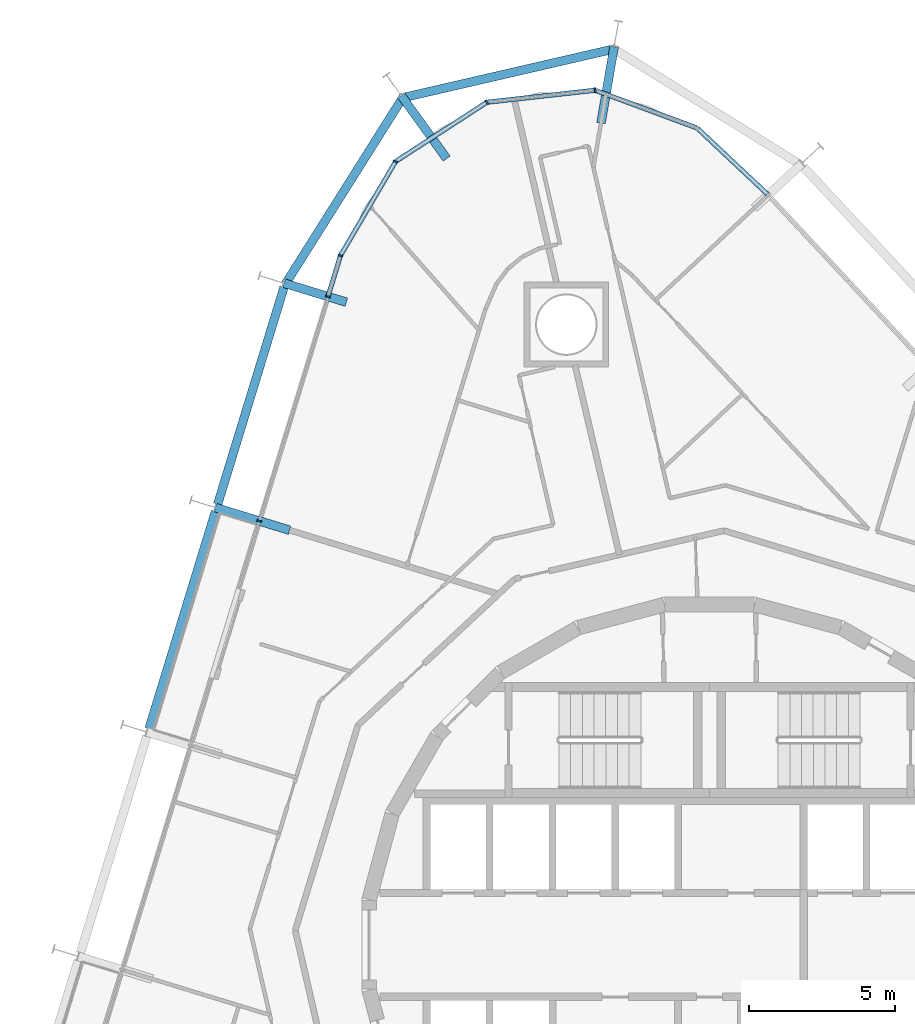
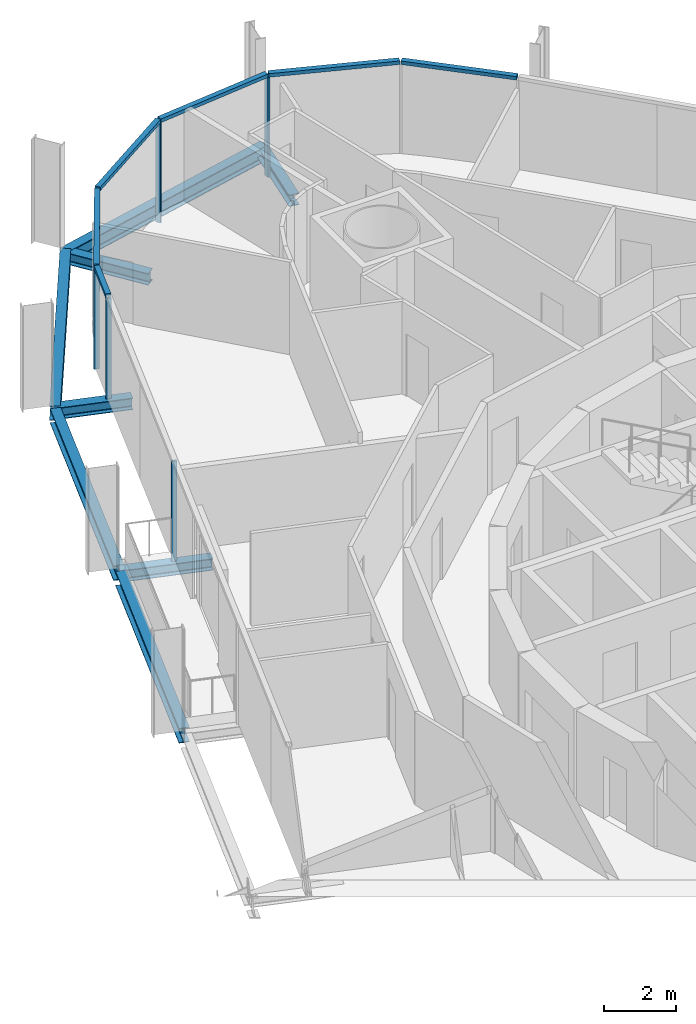
# One storey, part 7 of 18: 12 members, 8 beams, 2 elements without a shape of their own.
"""IFC4 building model written with IfcOpenShell, lengths in metres."""

from ifc_helpers import new_model, si_unit, direction, frame, origin, origin_2d, place, context, subcontext, project, spatial, rectangle, i_section, extrude, material, layer, layer_set, material_profile, profile_set, type_object, element, aggregate, save


model = new_model("IFC4")

# Units and contexts
model_context = context("Model", 3, precision=1e-05, world=origin(), true_north=direction((0.0, 1.0)))
body_context = subcontext(model_context, "Body", "Model", "MODEL_VIEW")
ifc_project = project(units=[si_unit("LENGTHUNIT", "METRE"), si_unit("AREAUNIT", "SQUARE_METRE"), si_unit("VOLUMEUNIT", "CUBIC_METRE"), si_unit("PLANEANGLEUNIT", "RADIAN"), si_unit("MASSUNIT", "GRAM", prefix="KILO")], contexts=[model_context])

# Site, building, storey
site_placement = place(None, origin())
site = spatial("IfcSite", under=ifc_project, at=site_placement, CompositionType="ELEMENT")
building_placement = place(site_placement, origin())
building = spatial("IfcBuilding", under=site, at=building_placement, Name="Spindle Arch Residences", CompositionType="ELEMENT")
storey_placement = place(building_placement, frame((0.0, 0.0, 130.89990234375)))
storey = spatial("IfcBuildingStorey", under=building, at=storey_placement, Name="L32", CompositionType="ELEMENT", Elevation=130.89990234375)

# Curtain wall, members
ifc_material_1 = material(Name="Aluminium bronze unitised frame with tinted glass", Category="aluminium")
ifc_layer_1 = layer(ifc_material_1, 0.159912109375)
ifc_layer_set_1 = layer_set([ifc_layer_1], Name="CW-D corner wall on the fillet arcs")
curtain_wall_type_1 = type_object("IfcCurtainWallType", Name="CW-D corner wall on the fillet arcs", PredefinedType="NOTDEFINED", material=ifc_layer_set_1)
curtain_wall_1_placement = place(storey_placement, origin())
curtain_wall_1 = element("IfcCurtainWall", 1, at=curtain_wall_1_placement, inside=storey, type_object=curtain_wall_type_1, Name="CW-D L32 run 3", PredefinedType="NOTDEFINED")
ifc_material_2 = material(Name="Aluminium bronze anodised mullion", Category="aluminium")
ifc_material_profile_1 = material_profile(ifc_material_2, rectangle(XDim=0.159912109375, YDim=0.06005859375, at=origin_2d()), Name="MU 60x160")
ifc_profile_set_1 = profile_set([ifc_material_profile_1], Name="Aluminium bronze anodised mullion")
member_type_1 = type_object("IfcMemberType", Name="Bronze mullion 60x160", PredefinedType="MULLION", material=ifc_profile_set_1)
member_1_placement = place(storey_placement, frame((-3.9150390625, 29.243408203125, -0.3798828125), z_axis=(0.0, 0.0, 1.0), x_axis=(0.110312556619, -0.993896946294, 0.0)))
member_1 = element("IfcMember", 2, at=member_1_placement, type_object=member_type_1, Name="CW-D mullion 02", PredefinedType="MULLION", context=body_context, shape_type="SweptSolid", body=[
    extrude(rectangle(XDim=0.159912109375, YDim=0.06005859375, at=origin_2d()), origin(), (0.0, 0.0, 1.0), 3.3798828125),
])
member_2_placement = place(storey_placement, frame((-7.619140625, 28.832275390625, -0.3798828125), z_axis=(0.0, 0.0, 1.0), x_axis=(0.544639035308, -0.838670567755, 0.0)))
member_2 = element("IfcMember", 3, at=member_2_placement, type_object=member_type_1, Name="CW-D mullion 03", PredefinedType="MULLION", context=body_context, shape_type="SweptSolid", body=[
    extrude(rectangle(XDim=0.159912109375, YDim=0.06005859375, at=origin_2d()), origin(), (0.0, 0.0, 1.0), 3.3798828125),
])
member_3_placement = place(storey_placement, frame((-10.74462890625, 26.802490234375, -0.3798828125), z_axis=(0.0, 0.0, 1.0), x_axis=(0.863101880723, -0.505029844161, 0.0)))
member_3 = element("IfcMember", 4, at=member_3_placement, type_object=member_type_1, Name="CW-D mullion 04", PredefinedType="MULLION", context=body_context, shape_type="SweptSolid", body=[
    extrude(rectangle(XDim=0.159912109375, YDim=0.06005859375, at=origin_2d()), origin(), (0.0, 0.0, 1.0), 3.3798828125),
])
member_4_placement = place(storey_placement, frame((-12.626708984375, 23.5859375, -0.3798828125), z_axis=(0.0, 0.0, 1.0), x_axis=(0.956304755963, -0.292371704723, 0.0)))
member_4 = element("IfcMember", 5, at=member_4_placement, type_object=member_type_1, Name="CW-D mullion 05", PredefinedType="MULLION", context=body_context, shape_type="SweptSolid", body=[
    extrude(rectangle(XDim=0.159912109375, YDim=0.06005859375, at=origin_2d()), origin(), (0.0, 0.0, 1.0), 3.3798828125),
])

ifc_material_3 = material(Name="Aluminium bronze unitised frame with tinted glass", Category="aluminium")
ifc_layer_2 = layer(ifc_material_3, 0.159912109375)
ifc_layer_set_2 = layer_set([ifc_layer_2], Name="CW-C typical residential unitised wall")
curtain_wall_type_2 = type_object("IfcCurtainWallType", Name="CW-C typical residential unitised wall", PredefinedType="NOTDEFINED", material=ifc_layer_set_2)
curtain_wall_2_placement = place(storey_placement, origin())
curtain_wall_2 = element("IfcCurtainWall", 6, at=curtain_wall_2_placement, inside=storey, type_object=curtain_wall_type_2, Name="CW-C L32 run 4", PredefinedType="NOTDEFINED")
member_5_placement = place(storey_placement, frame((-13.0556640625, 22.182861328125, -0.3798828125), z_axis=(0.0, 0.0, 1.0), x_axis=(0.956304755963, -0.292371704723, 0.0)))
member_5 = element("IfcMember", 7, at=member_5_placement, type_object=member_type_1, Name="CW-C mullion 12", PredefinedType="MULLION", context=body_context, shape_type="SweptSolid", body=[
    extrude(rectangle(XDim=0.159912109375, YDim=0.06005859375, at=origin_2d()), origin(), (0.0, 0.0, 1.0), 3.3798828125),
])
member_6_placement = place(storey_placement, frame((-15.4033203125, 14.504638671875, -0.3798828125), z_axis=(0.0, 0.0, 1.0), x_axis=(0.956304755963, -0.292371704723, 0.0)))
member_6 = element("IfcMember", 8, at=member_6_placement, type_object=member_type_1, Name="CW-C mullion 13", PredefinedType="MULLION", context=body_context, shape_type="SweptSolid", body=[
    extrude(rectangle(XDim=0.159912109375, YDim=0.06005859375, at=origin_2d()), origin(), (0.0, 0.0, 1.0), 3.3798828125),
])
aggregate(curtain_wall_2, [member_5, member_6])

# Member
ifc_material_4 = material(Name="Aluminium bronze anodised transom", Category="aluminium")
ifc_material_profile_2 = material_profile(ifc_material_4, rectangle(XDim=0.159912109375, YDim=0.1201171875, at=origin_2d()), Name="TR 120x160")
ifc_profile_set_2 = profile_set([ifc_material_profile_2], Name="Aluminium bronze anodised transom")
member_type_2 = type_object("IfcMemberType", Name="Bronze transom 120x160", PredefinedType="USERDEFINED", material=ifc_profile_set_2)
member_7_placement = place(storey_placement, frame((1.98828125, 25.681640625, 3.06005859375), z_axis=(-0.72826996669, 0.685290344027, 0.0), x_axis=(-0.685290344027, -0.72826996669, 0.0)))
member_7 = element("IfcMember", 9, at=member_7_placement, type_object=member_type_2, Name="CW-D transom 00", ObjectType="TRANSOM", PredefinedType="USERDEFINED", context=body_context, shape_type="SweptSolid", body=[
    extrude(rectangle(XDim=0.159912109375, YDim=0.1201171875, at=origin_2d()), origin(), (0.0, 0.0, 1.0), 3.277587890625),
])

member_8_placement = place(storey_placement, frame((-0.44873046875, 27.958740234375, 3.06005859375), z_axis=(-0.937682080581, 0.347494339172, 0.0), x_axis=(-0.347494339172, -0.937682080581, 0.0)))
member_8 = element("IfcMember", 10, at=member_8_placement, type_object=member_type_2, Name="CW-D transom 01", ObjectType="TRANSOM", PredefinedType="USERDEFINED", context=body_context, shape_type="SweptSolid", body=[
    extrude(rectangle(XDim=0.159912109375, YDim=0.1201171875, at=origin_2d()), origin(), (0.0, 0.0, 1.0), 3.666748046875),
])

member_9_placement = place(storey_placement, frame((-3.945068359375, 29.239990234375, 3.06005859375), z_axis=(-0.993895097359, -0.110329213929, 0.0), x_axis=(0.110329213929, -0.993895097359, 0.0)))
member_9 = element("IfcMember", 11, at=member_9_placement, type_object=member_type_2, Name="CW-D transom 02", ObjectType="TRANSOM", PredefinedType="USERDEFINED", context=body_context, shape_type="SweptSolid", body=[
    extrude(rectangle(XDim=0.159912109375, YDim=0.1201171875, at=origin_2d()), origin(), (0.0, 0.0, 1.0), 3.666748046875),
])

member_10_placement = place(storey_placement, frame((-7.644287109375, 28.81591796875, 3.06005859375), z_axis=(-0.838668683676, -0.544641936525, 0.0), x_axis=(0.544641936525, -0.838668683676, 0.0)))
member_10 = element("IfcMember", 12, at=member_10_placement, type_object=member_type_2, Name="CW-D transom 03", ObjectType="TRANSOM", PredefinedType="USERDEFINED", context=body_context, shape_type="SweptSolid", body=[
    extrude(rectangle(XDim=0.159912109375, YDim=0.1201171875, at=origin_2d()), origin(), (0.0, 0.0, 1.0), 3.666748046875),
])

member_11_placement = place(storey_placement, frame((-10.759765625, 26.776611328125, 3.06005859375), z_axis=(-0.505025585574, -0.86310437255, 0.0), x_axis=(0.86310437255, -0.505025585574, 0.0)))
member_11 = element("IfcMember", 13, at=member_11_placement, type_object=member_type_2, Name="CW-D transom 04", ObjectType="TRANSOM", PredefinedType="USERDEFINED", context=body_context, shape_type="SweptSolid", body=[
    extrude(rectangle(XDim=0.159912109375, YDim=0.1201171875, at=origin_2d()), origin(), (0.0, 0.0, 1.0), 3.666748046875),
])

member_12_placement = place(storey_placement, frame((-12.635498046875, 23.55712890625, 3.06005859375), z_axis=(-0.292390464398, -0.956299020354, 0.0), x_axis=(0.956299020354, -0.292390464398, 0.0)))
member_12 = element("IfcMember", 14, at=member_12_placement, type_object=member_type_2, Name="CW-D transom 05", ObjectType="TRANSOM", PredefinedType="USERDEFINED", context=body_context, shape_type="SweptSolid", body=[
    extrude(rectangle(XDim=0.159912109375, YDim=0.1201171875, at=origin_2d()), origin(), (0.0, 0.0, 1.0), 1.406982421875),
])

aggregate(curtain_wall_1, [member_7, member_8, member_1, member_9, member_2, member_10, member_3, member_11, member_4, member_12])

# Beams
ifc_material_5 = material(Name="Steel S460ML, intumescent coating R 120", Category="steel")
ifc_material_profile_3 = material_profile(ifc_material_5, i_section(OverallWidth=0.300048828125, OverallDepth=0.5, WebThickness=0.014404296875, FlangeThickness=0.028076171875, FilletRadius=0.027099609375, at=origin_2d()), Name="HEB 500")
ifc_profile_set_3 = profile_set([ifc_material_profile_3], Name="Steel S460ML, intumescent coating R 120")
beam_type_1 = type_object("IfcBeamType", Name="Exoskeleton edge beam HEB 500", PredefinedType="BEAM", material=ifc_profile_set_3)
beam_1_placement = place(storey_placement, frame((-3.20166015625, 30.670166015625, -0.6298828125), z_axis=(-0.974372141151, -0.224942060428, 0.0), x_axis=(0.224942060428, -0.974372141151, 0.0)))
element("IfcBeam", 15, at=beam_1_placement, inside=storey, type_object=beam_type_1, Name="Exoskeleton edge beam 11", PredefinedType="BEAM", context=body_context, shape_type="SweptSolid", body=[
    extrude(i_section(OverallWidth=0.300048828125, OverallDepth=0.5, WebThickness=0.014404296875, FlangeThickness=0.028076171875, FilletRadius=0.027099609375, at=origin_2d()), origin(), (0.0, 0.0, 1.0), 7.5595703125),
])
beam_2_placement = place(storey_placement, frame((-10.47509765625, 29.022705078125, -0.6298828125), z_axis=(-0.532774034173, -0.846257542661, 0.0), x_axis=(0.846257542661, -0.532774034173, 0.0)))
element("IfcBeam", 16, at=beam_2_placement, inside=storey, type_object=beam_type_1, Name="Exoskeleton edge beam 12", PredefinedType="BEAM", context=body_context, shape_type="SweptSolid", body=[
    extrude(i_section(OverallWidth=0.300048828125, OverallDepth=0.5, WebThickness=0.014404296875, FlangeThickness=0.028076171875, FilletRadius=0.027099609375, at=origin_2d()), origin(), (0.0, 0.0, 1.0), 7.591796875),
])
for number, where, z_axis, x_axis, name in (
    (17, (-14.556884765625, 22.505859375, -0.6298828125), (-0.292380603236, -0.956302035369, 0.0), (0.956302035369, -0.292380603236, 0.0), "Exoskeleton edge beam 13"),
    (18, (-16.904296875, 14.82763671875, -0.6298828125), (-0.292371816855, -0.956304721681, 0.0), (0.956304721681, -0.292371816855, 0.0), "Exoskeleton edge beam 14"),
):
    element("IfcBeam", number, at=place(storey_placement, frame(where, z_axis=z_axis, x_axis=x_axis)), inside=storey, type_object=beam_type_1, Name=name, PredefinedType="BEAM", context=body_context, shape_type="SweptSolid", body=[
        extrude(i_section(OverallWidth=0.300048828125, OverallDepth=0.5, WebThickness=0.014404296875, FlangeThickness=0.028076171875, FilletRadius=0.027099609375, at=origin_2d()), origin(), (0.0, 0.0, 1.0), 7.76904296875),
    ])
ifc_material_6 = material(Name="Steel S460ML, intumescent coating R 120", Category="steel")
ifc_material_profile_4 = material_profile(ifc_material_6, i_section(OverallWidth=0.300048828125, OverallDepth=0.389892578125, WebThickness=0.010986328125, FlangeThickness=0.01904296875, FilletRadius=0.027099609375, at=origin_2d()), Name="HEA 400")
ifc_profile_set_4 = profile_set([ifc_material_profile_4], Name="Steel S460ML, intumescent coating R 120")
beam_type_2 = type_object("IfcBeamType", Name="Floor outrigger HEA 400", PredefinedType="BEAM", material=ifc_profile_set_4)
for number, where, z_axis, x_axis, name in (
    (19, (-3.26171875, 30.7333984375, -0.574951171875), (-0.169700209351, -0.985495732587, 0.0), (0.985495732587, -0.169700209351, 0.0), "Floor outrigger 11"),
    (20, (-10.541015625, 29.052734375, -0.574951171875), (0.584588663969, -0.811329830561, 0.0), (0.811329830561, 0.584588663969, 0.0), "Floor outrigger 12"),
):
    element("IfcBeam", number, at=place(storey_placement, frame(where, z_axis=z_axis, x_axis=x_axis)), inside=storey, type_object=beam_type_2, Name=name, PredefinedType="BEAM", context=body_context, shape_type="SweptSolid", body=[
        extrude(i_section(OverallWidth=0.300048828125, OverallDepth=0.389892578125, WebThickness=0.010986328125, FlangeThickness=0.01904296875, FilletRadius=0.027099609375, at=origin_2d()), origin(), (0.0, 0.0, 1.0), 2.64990234375),
    ])
beam_3_placement = place(storey_placement, frame((-14.55712890625, 22.641845703125, -0.574951171875), z_axis=(0.956331173438, -0.292285283091, 0.0), x_axis=(0.292285283091, 0.956331173438, 0.0)))
element("IfcBeam", 21, at=beam_3_placement, inside=storey, type_object=beam_type_2, Name="Floor outrigger 13", PredefinedType="BEAM", context=body_context, shape_type="SweptSolid", body=[
    extrude(i_section(OverallWidth=0.300048828125, OverallDepth=0.389892578125, WebThickness=0.010986328125, FlangeThickness=0.01904296875, FilletRadius=0.027099609375, at=origin_2d()), origin(), (0.0, 0.0, 1.0), 2.230224609375),
])
beam_4_placement = place(storey_placement, frame((-16.904541015625, 14.963623046875, -0.574951171875), z_axis=(0.956291475666, -0.292415139091, 0.0), x_axis=(0.292415139091, 0.956291475666, 0.0)))
element("IfcBeam", 22, at=beam_4_placement, inside=storey, type_object=beam_type_2, Name="Floor outrigger 14", PredefinedType="BEAM", context=body_context, shape_type="SweptSolid", body=[
    extrude(i_section(OverallWidth=0.300048828125, OverallDepth=0.389892578125, WebThickness=0.010986328125, FlangeThickness=0.01904296875, FilletRadius=0.027099609375, at=origin_2d()), origin(), (0.0, 0.0, 1.0), 2.64990234375),
])

save(model, "model.ifc")
